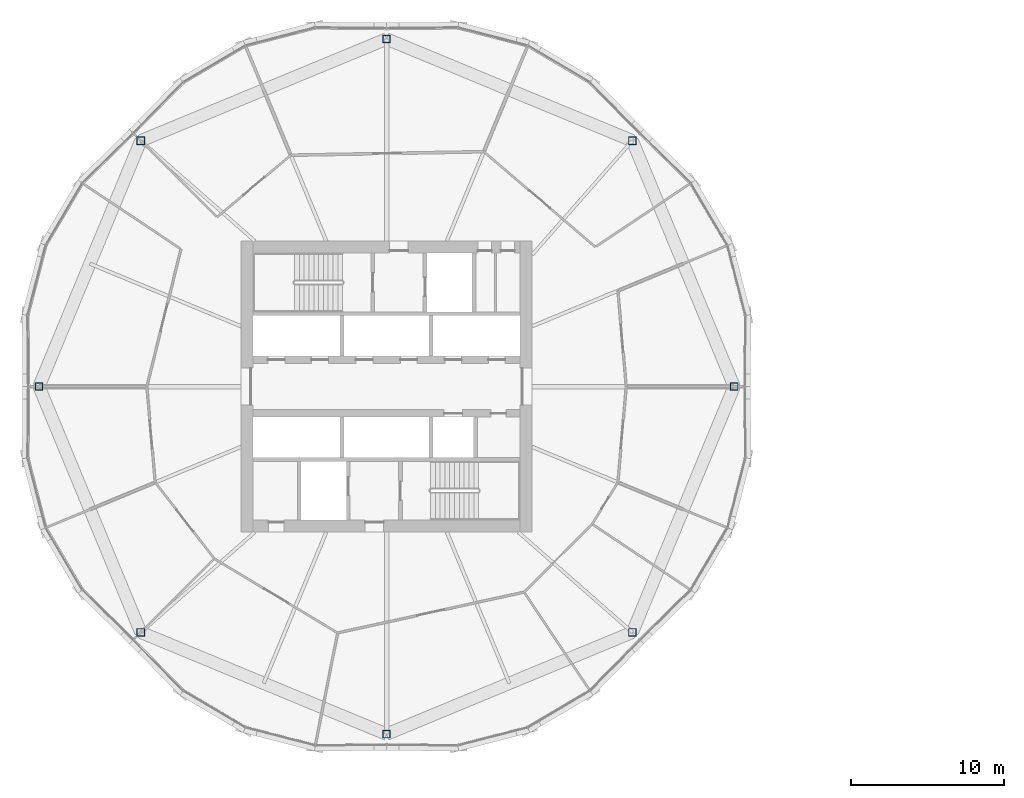
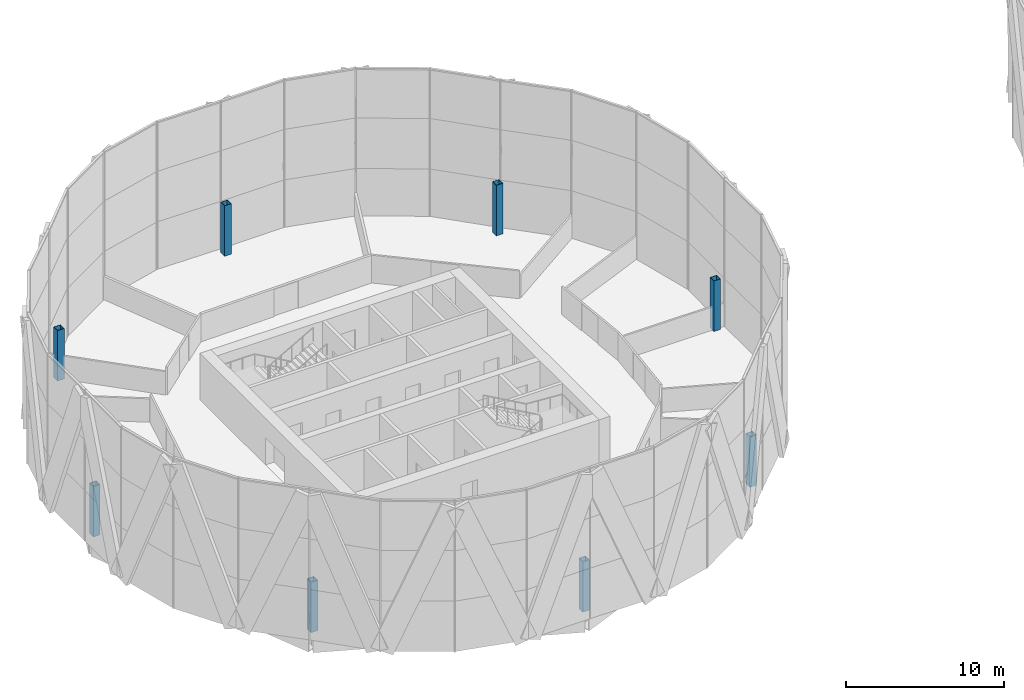
# One storey, part 1 of 26: 8 columns.
"""IFC4 building model written with IfcOpenShell, lengths in metres."""

from ifc_helpers import new_model, si_unit, direction, frame, origin, origin_2d, place, context, subcontext, project, spatial, hollow_rectangle, extrude, material, material_profile, profile_set, type_object, element, save


model = new_model("IFC4")

# Units and contexts
model_context = context("Model", 3, precision=1e-05, world=origin(), true_north=direction((0.0, 1.0)))
body_context = subcontext(model_context, "Body", "Model", "MODEL_VIEW")
ifc_project = project(units=[si_unit("LENGTHUNIT", "METRE"), si_unit("AREAUNIT", "SQUARE_METRE"), si_unit("VOLUMEUNIT", "CUBIC_METRE"), si_unit("PLANEANGLEUNIT", "RADIAN"), si_unit("MASSUNIT", "GRAM", prefix="KILO")], contexts=[model_context])

# Site, building, storey
site_placement = place(None, origin())
site = spatial("IfcSite", under=ifc_project, at=site_placement, CompositionType="ELEMENT")
building_placement = place(site_placement, origin())
building = spatial("IfcBuilding", under=site, at=building_placement, Name="Ogive Gate Towers", CompositionType="ELEMENT")
storey_placement = place(building_placement, frame((0.0, 0.0, 87.89990234375)))
storey = spatial("IfcBuildingStorey", under=building, at=storey_placement, Name="L20", CompositionType="ELEMENT", Elevation=87.89990234375)

# Columns
ifc_material = material(Name="Steel SM460", Category="steel")
ifc_material_profile = material_profile(ifc_material, hollow_rectangle(XDim=0.5, YDim=0.5, WallThickness=0.030029296875, at=origin_2d()), Name="BX 500x500x30")
ifc_profile_set = profile_set([ifc_material_profile], Name="Steel SM460")
column_type = type_object("IfcColumnType", Name="Perimeter post BX 500x500x30", PredefinedType="COLUMN", material=ifc_profile_set)
for number, where, z_axis, x_axis, name in (
    (1, (-13.330078125, 0.0, 0.0), (0.0, 0.0, 1.0), (1.0, 0.0, 0.0), "T1/L20/SCL001"),
    (2, (-19.969970703125, 16.030029296875, 0.0), (0.0, 0.0, 1.0), (1.0, 0.0, 0.0), "T1/L20/SCL002"),
    (3, (-36.0, 22.669921875, 0.0), (0.0, 0.0, 1.0), (1.0, 0.0, 0.0), "T1/L20/SCL003"),
    (4, (-52.030029296875, 16.030029296875, 0.0), (0.0, 0.0, 1.0), (1.0, 0.0, 0.0), "T1/L20/SCL004"),
    (5, (-58.669921875, 0.0, 0.0), (0.0, 0.0, 1.0), (1.0, 0.0, 0.0), "T1/L20/SCL005"),
    (6, (-52.030029296875, -16.030029296875, 0.0), (0.0, 0.0, 1.0), (1.0, 0.0, 0.0), "T1/L20/SCL006"),
    (7, (-36.0, -22.669921875, 0.0), (0.0, 0.0, 1.0), (1.0, 0.0, 0.0), "T1/L20/SCL007"),
    (8, (-19.969970703125, -16.030029296875, 0.0), (0.0, 0.0, 1.0), (1.0, 0.0, 0.0), "T1/L20/SCL008"),
):
    element("IfcColumn", number, at=place(storey_placement, frame(where, z_axis=z_axis, x_axis=x_axis)), inside=storey, type_object=column_type, Name=name, PredefinedType="COLUMN", context=body_context, shape_type="SweptSolid", body=[
        extrude(hollow_rectangle(XDim=0.5, YDim=0.5, WallThickness=0.030029296875, at=origin_2d()), origin(), (0.0, 0.0, 1.0), 3.900146484375),
    ])

save(model, "model.ifc")
